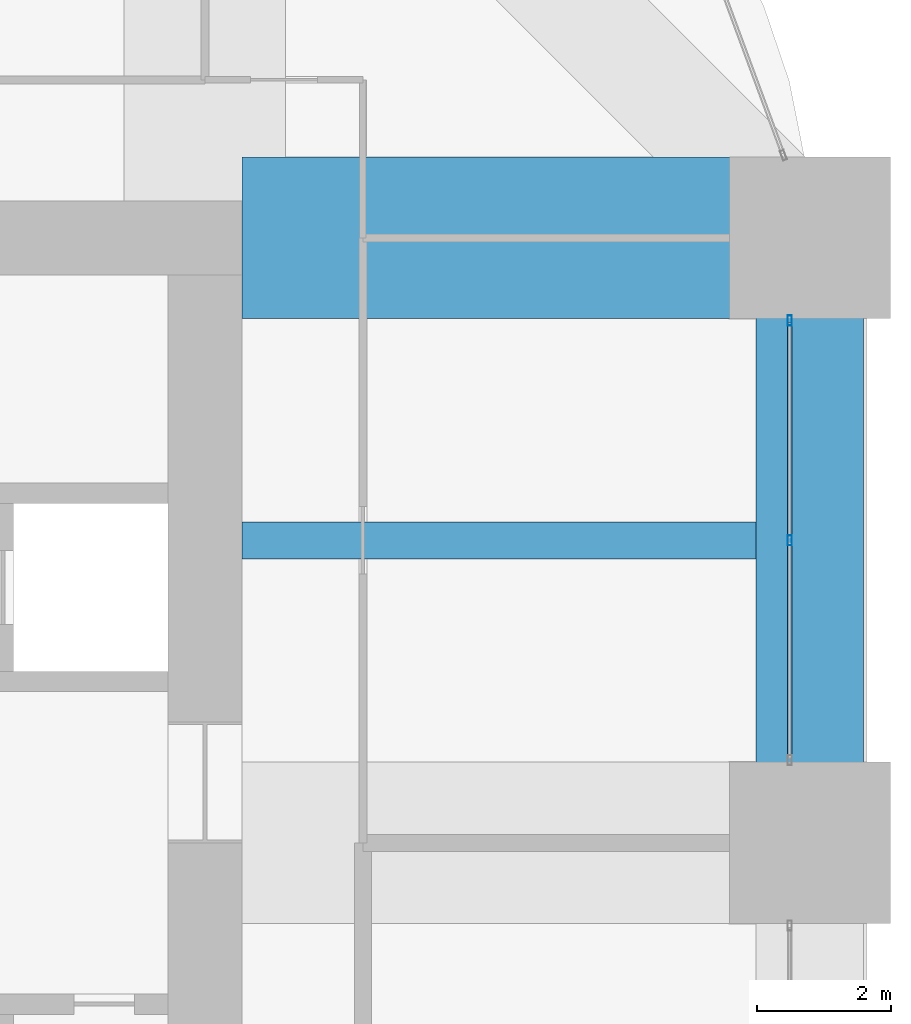
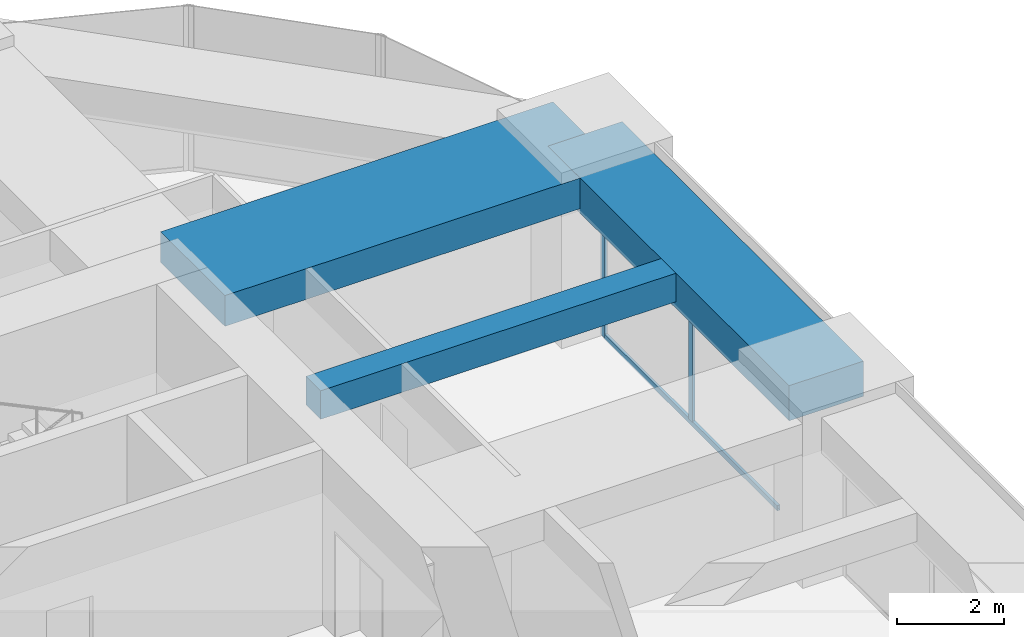
# One storey, part 27 of 34: 3 beams, 3 members, 1 element without a shape of its own.
"""IFC4 building model written with IfcOpenShell, lengths in metres."""

from ifc_helpers import new_model, si_unit, direction, frame, origin, origin_2d, place, context, subcontext, project, spatial, rectangle, hollow_rectangle, extrude, material, material_profile, profile_set, type_object, element, aggregate, save


model = new_model("IFC4")

# Units and contexts
model_context = context("Model", 3, precision=1e-05, world=origin(), true_north=direction((0.0, 1.0)))
body_context = subcontext(model_context, "Body", "Model", "MODEL_VIEW")
ifc_project = project(units=[si_unit("LENGTHUNIT", "METRE"), si_unit("AREAUNIT", "SQUARE_METRE"), si_unit("VOLUMEUNIT", "CUBIC_METRE"), si_unit("PLANEANGLEUNIT", "RADIAN"), si_unit("MASSUNIT", "GRAM", prefix="KILO")], contexts=[model_context])

# Site, building, storey
site_placement = place(None, origin())
site = spatial("IfcSite", under=ifc_project, at=site_placement, CompositionType="ELEMENT")
building_placement = place(site_placement, origin())
building = spatial("IfcBuilding", under=site, at=building_placement, Name="Zorevar Civic Tower", CompositionType="ELEMENT")
storey_placement = place(building_placement, frame((0.0, 0.0, 226.199951171875)))
storey = spatial("IfcBuildingStorey", under=building, at=storey_placement, Name="L55", CompositionType="ELEMENT", Elevation=226.199951171875)

# Beams
ifc_material_1 = material(Name="Concrete C50/60", Category="concrete")
ifc_material_profile_1 = material_profile(ifc_material_1, rectangle(XDim=2.39990234375, YDim=0.699951171875, at=origin_2d()), Name="RC 2400x700")
ifc_profile_set_1 = profile_set([ifc_material_profile_1], Name="Concrete C50/60")
beam_type_1 = type_object("IfcBeamType", Name="Beam RC 2400x700", PredefinedType="BEAM", material=ifc_profile_set_1)
beam_1_placement = place(storey_placement, frame((45.550048828125, 36.0, 3.400146484375), z_axis=(1.0, 0.0, 0.0), x_axis=(0.0, 1.0, 0.0)))
element("IfcBeam", 1, at=beam_1_placement, inside=storey, type_object=beam_type_1, Name="Girder L56", PredefinedType="BEAM", context=body_context, shape_type="SweptSolid", body=[
    extrude(rectangle(XDim=2.39990234375, YDim=0.699951171875, at=origin_2d()), origin(), (0.0, 0.0, 1.0), 8.449951171875),
])
ifc_material_2 = material(Name="Concrete C50/60", Category="concrete")
ifc_material_profile_2 = material_profile(ifc_material_2, rectangle(XDim=0.550048828125, YDim=0.64990234375, at=origin_2d()), Name="RC 550x650")
ifc_profile_set_2 = profile_set([ifc_material_profile_2], Name="Concrete C50/60")
beam_type_2 = type_object("IfcBeamType", Name="Beam RC 550x650", PredefinedType="BEAM", material=ifc_profile_set_2)
beam_2_placement = place(storey_placement, frame((45.550048828125, 31.5, 3.425048828125), z_axis=(1.0, 0.0, 0.0), x_axis=(0.0, 1.0, 0.0)))
element("IfcBeam", 2, at=beam_2_placement, inside=storey, type_object=beam_type_2, Name="Secondary beam L56", PredefinedType="BEAM", context=body_context, shape_type="SweptSolid", body=[
    extrude(rectangle(XDim=0.550048828125, YDim=0.64990234375, at=origin_2d()), origin(), (0.0, 0.0, 1.0), 7.64990234375),
])

# Curtain wall, members
ifc_material_3 = material(Name="Dark grey solar-control glass in black aluminium frame", Category="aluminium")
curtain_wall_type = type_object("IfcCurtainWallType", Name="Curtain wall CW4 high zone", PredefinedType="NOTDEFINED", material=ifc_material_3)
curtain_wall_placement = place(storey_placement, origin())
curtain_wall = element("IfcCurtainWall", 3, at=curtain_wall_placement, inside=storey, type_object=curtain_wall_type, Name="CW4 L55", PredefinedType="NOTDEFINED")
ifc_material_4 = material(Name="Aluminium, black anodised", Category="aluminium")
ifc_material_profile_3 = material_profile(ifc_material_4, hollow_rectangle(XDim=0.06005859375, YDim=0.14990234375, WallThickness=0.00390625, at=origin_2d()), Name="AL 150x60x4")
ifc_profile_set_3 = profile_set([ifc_material_profile_3], Name="Aluminium, black anodised")
member_type_1 = type_object("IfcMemberType", Name="CW4 mullion AL 150x60x4", PredefinedType="MULLION", material=ifc_profile_set_3)
member_1_placement = place(storey_placement, frame((53.699951171875, 31.5, 0.06005859375), z_axis=(0.0, 0.0, 1.0), x_axis=(-1.0, 0.0, 0.0)))
member_1 = element("IfcMember", 4, at=member_1_placement, type_object=member_type_1, Name="CW4 mullion 2", PredefinedType="MULLION", context=body_context, shape_type="SweptSolid", body=[
    extrude(hollow_rectangle(XDim=0.06005859375, YDim=0.14990234375, WallThickness=0.00390625, at=origin_2d()), origin(), (0.0, 0.0, 1.0), 2.889892578125),
])
member_2_placement = place(storey_placement, frame((53.699951171875, 34.77001953125, 0.0), z_axis=(0.0, 0.0, 1.0), x_axis=(-1.0, 0.0, 0.0)))
member_2 = element("IfcMember", 5, at=member_2_placement, type_object=member_type_1, Name="CW4 mullion 3", PredefinedType="MULLION", context=body_context, shape_type="SweptSolid", body=[
    extrude(hollow_rectangle(XDim=0.06005859375, YDim=0.14990234375, WallThickness=0.00390625, at=origin_2d()), origin(), (0.0, 0.0, 1.0), 2.949951171875),
])
ifc_material_5 = material(Name="Aluminium, black anodised", Category="aluminium")
ifc_material_profile_4 = material_profile(ifc_material_5, hollow_rectangle(XDim=0.06005859375, YDim=0.1201171875, WallThickness=0.0029296875, at=origin_2d()), Name="AL 120x60x3")
ifc_profile_set_4 = profile_set([ifc_material_profile_4], Name="Aluminium, black anodised")
member_type_2 = type_object("IfcMemberType", Name="CW4 transom AL 120x60x3", PredefinedType="USERDEFINED", material=ifc_profile_set_4)
member_3_placement = place(storey_placement, frame((53.699951171875, 28.260009765625, 0.030029296875), z_axis=(0.0, 1.0, 0.0), x_axis=(-1.0, 0.0, 0.0)))
member_3 = element("IfcMember", 6, at=member_3_placement, type_object=member_type_2, Name="CW4 sill transom", ObjectType="TRANSOM", PredefinedType="USERDEFINED", context=body_context, shape_type="SweptSolid", body=[
    extrude(hollow_rectangle(XDim=0.06005859375, YDim=0.1201171875, WallThickness=0.0029296875, at=origin_2d()), origin(), (0.0, 0.0, 1.0), 6.47998046875),
])
aggregate(curtain_wall, [member_1, member_2, member_3])

# Beam
ifc_material_6 = material(Name="Concrete C50/60", Category="concrete")
ifc_material_profile_5 = material_profile(ifc_material_6, rectangle(XDim=1.60009765625, YDim=0.800048828125, at=origin_2d()), Name="RC 1600x800")
ifc_profile_set_5 = profile_set([ifc_material_profile_5], Name="Concrete C50/60")
beam_type_3 = type_object("IfcBeamType", Name="Edge beam RC 1600x800", PredefinedType="SPANDREL", material=ifc_profile_set_5)
beam_3_placement = place(storey_placement, frame((54.0, 27.0, 3.35009765625), z_axis=(0.0, 1.0, 0.0), x_axis=(-1.0, 0.0, 0.0)))
element("IfcBeam", 7, at=beam_3_placement, inside=storey, type_object=beam_type_3, Name="Edge beam L56", PredefinedType="SPANDREL", context=body_context, shape_type="SweptSolid", body=[
    extrude(rectangle(XDim=1.60009765625, YDim=0.800048828125, at=origin_2d()), origin(), (0.0, 0.0, 1.0), 9.0),
])

save(model, "model.ifc")
